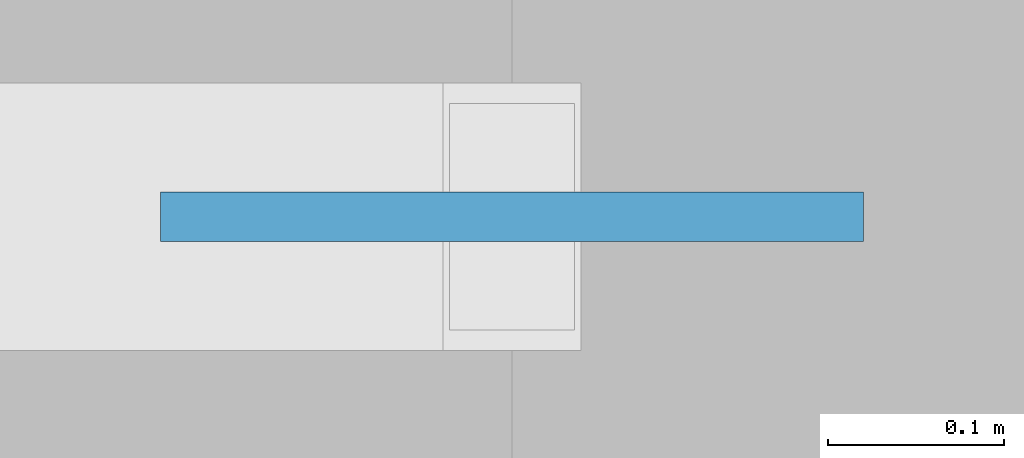
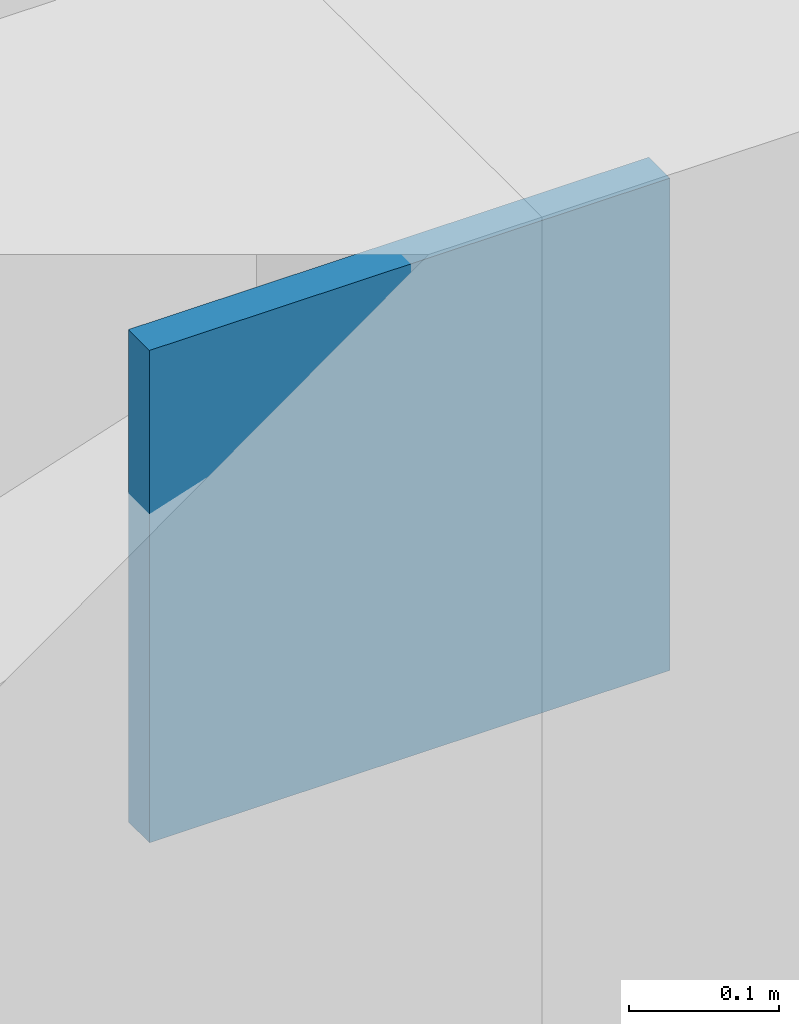
# One storey, part 47 of 73: 1 plate.
"""IFC4 building model written with IfcOpenShell, lengths in metres."""

from ifc_helpers import new_model, si_unit, direction, frame, origin, origin_2d, place, context, subcontext, project, spatial, rectangle, extrude, material, layer, layer_set, type_object, element, save


model = new_model("IFC4")

# Units and contexts
model_context = context("Model", 3, precision=1e-05, world=origin(), true_north=direction((0.0, 1.0)))
body_context = subcontext(model_context, "Body", "Model", "MODEL_VIEW")
ifc_project = project(units=[si_unit("LENGTHUNIT", "METRE"), si_unit("AREAUNIT", "SQUARE_METRE"), si_unit("VOLUMEUNIT", "CUBIC_METRE"), si_unit("PLANEANGLEUNIT", "RADIAN"), si_unit("MASSUNIT", "GRAM", prefix="KILO")], contexts=[model_context])

# Site, building, storey
site_placement = place(None, origin())
site = spatial("IfcSite", under=ifc_project, at=site_placement, CompositionType="ELEMENT")
building_placement = place(site_placement, origin())
building = spatial("IfcBuilding", under=site, at=building_placement, Name="Vervanel Yard Central Library", CompositionType="ELEMENT")
storey_placement = place(building_placement, frame((0.0, 0.0, 12.780029296875)))
storey = spatial("IfcBuildingStorey", under=building, at=storey_placement, Name="L03", CompositionType="ELEMENT", Elevation=12.780029296875)

# Plate
ifc_material = material(Name="Steel ASTM A572 Grade 50", Category="steel")
ifc_layer = layer(ifc_material, 0.028076171875, Category="steel")
ifc_layer_set = layer_set([ifc_layer], Name="Steel ASTM A572 Grade 50")
plate_type = type_object("IfcPlateType", Name="Brace End Cap Plate 28", PredefinedType="SHEET", material=ifc_layer_set)
plate_placement = place(storey_placement, frame((72.0, 114.0, 2.875), z_axis=(0.0, 0.0, 1.0), x_axis=(1.0, 0.0, 0.0)))
element("IfcPlate", 1, at=plate_placement, inside=storey, type_object=plate_type, Name="L03 Lateral Brace End Cap 6-2", PredefinedType="SHEET", context=body_context, shape_type="SweptSolid", body=[
    extrude(rectangle(XDim=0.39990234375, YDim=0.028076171875, at=origin_2d()), origin(), (0.0, 0.0, 1.0), 0.39990234375),
])

save(model, "model.ifc")
